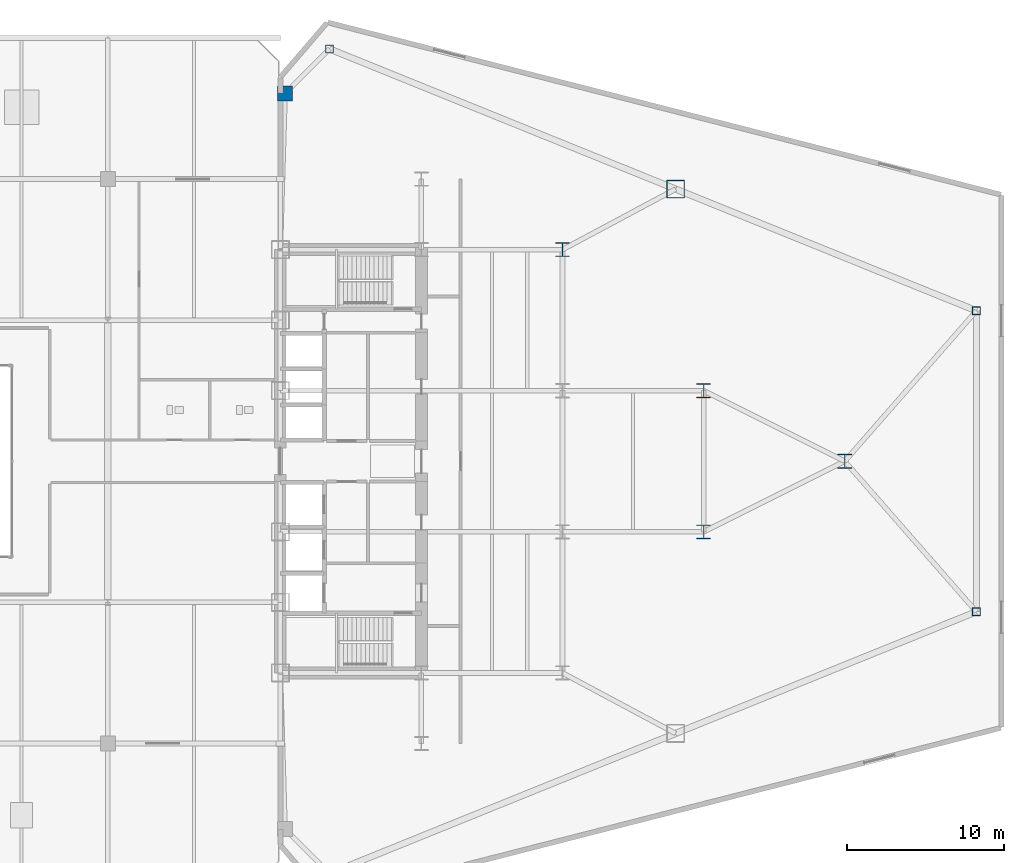
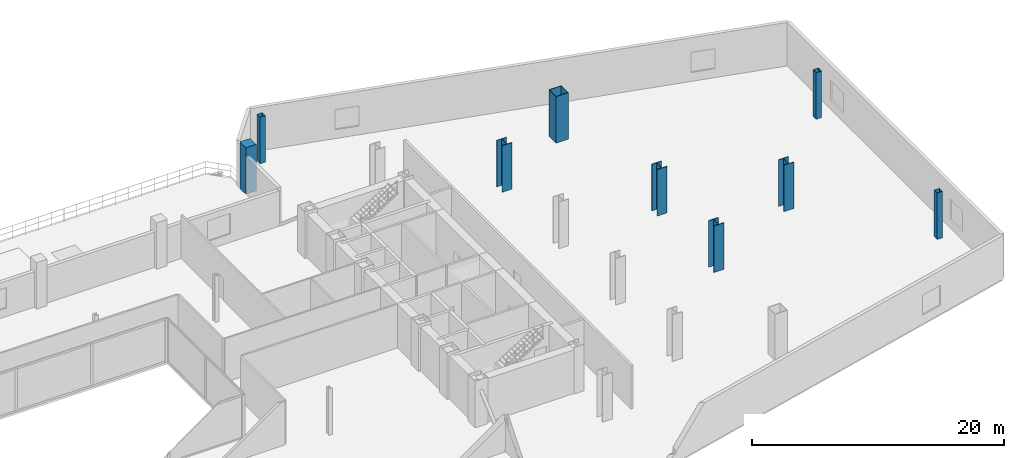
# One storey, part 8 of 27: 9 columns.
"""IFC4 building model written with IfcOpenShell, lengths in metres."""

from ifc_helpers import new_model, si_unit, direction, frame, origin, origin_2d, place, context, subcontext, project, spatial, rectangle, hollow_rectangle, i_section, extrude, source, transform, mapped, material, material_profile, profile_set, type_object, type_shapes, element, save


model = new_model("IFC4")

# Units and contexts
model_context = context("Model", 3, precision=1e-05, world=origin(), true_north=direction((0.0, 1.0)))
body_context = subcontext(model_context, "Body", "Model", "MODEL_VIEW")
ifc_project = project(units=[si_unit("LENGTHUNIT", "METRE"), si_unit("AREAUNIT", "SQUARE_METRE"), si_unit("VOLUMEUNIT", "CUBIC_METRE"), si_unit("PLANEANGLEUNIT", "RADIAN"), si_unit("MASSUNIT", "GRAM", prefix="KILO")], contexts=[model_context])

# Site, building, storey
site_placement = place(None, origin())
site = spatial("IfcSite", under=ifc_project, at=site_placement, CompositionType="ELEMENT")
building_placement = place(site_placement, origin())
building = spatial("IfcBuilding", under=site, at=building_placement, Name="Seokmaru Belvedere", CompositionType="ELEMENT")
storey_placement = place(building_placement, frame((0.0, 0.0, 9.89990234375)))
storey = spatial("IfcBuildingStorey", under=building, at=storey_placement, Name="L02", CompositionType="ELEMENT", Elevation=9.89990234375)

# Columns
ifc_material_1 = material(Name="Steel HSA650 (650 MPa)", Category="steel")
ifc_material_profile_1 = material_profile(ifc_material_1, hollow_rectangle(XDim=1.14990234375, YDim=1.14990234375, WallThickness=0.048095703125, at=origin_2d()), Name="BOX-1150x1150x48")
ifc_profile_set_1 = profile_set([ifc_material_profile_1], Name="Steel HSA650 (650 MPa)")
column_type_1 = type_object("IfcColumnType", Name="Portal Spine Column BOX-1150", PredefinedType="COLUMN", material=ifc_profile_set_1)
shared_shape_1 = source(origin(), body_context, "Body", "SweptSolid", [
    extrude(hollow_rectangle(XDim=1.14990234375, YDim=1.14990234375, WallThickness=0.048095703125, at=origin_2d()), origin(), (0.0, 0.0, 1.0), 4.5),
])
type_shapes(column_type_1, [shared_shape_1])
column_1_placement = place(storey_placement, frame((52.715576171875, 17.360595703125, 0.0), z_axis=(0.0, 0.0, 1.0), x_axis=(1.0, 0.0, 0.0)))
element("IfcColumn", 1, at=column_1_placement, inside=storey, type_object=column_type_1, Name="L02 Column EFLK_N2", PredefinedType="COLUMN", context=body_context, shape_type="MappedRepresentation", body=[
    mapped(shared_shape_1, transform((0.0, 0.0, 0.0), scale=1.0)),
])
ifc_material_profile_2 = material_profile(ifc_material_1, i_section(OverallWidth=0.89990234375, OverallDepth=0.89990234375, WebThickness=0.035888671875, FlangeThickness=0.054931640625, at=origin_2d()), Name="H-900x900x36x55")
ifc_profile_set_2 = profile_set([ifc_material_profile_2], Name="Steel HSA650 (650 MPa)")
column_type_2 = type_object("IfcColumnType", Name="Lower Interior Column H-900", PredefinedType="COLUMN", material=ifc_profile_set_2)
shared_shape_2 = source(origin(), body_context, "Body", "SweptSolid", [
    extrude(i_section(OverallWidth=0.89990234375, OverallDepth=0.89990234375, WebThickness=0.035888671875, FlangeThickness=0.054931640625, at=origin_2d()), origin(), (0.0, 0.0, 1.0), 4.5),
])
type_shapes(column_type_2, [shared_shape_2])
for number, where, z_axis, x_axis, name in (
    (2, (45.5, 13.5, 0.0), (0.0, 0.0, 1.0), (1.0, 0.0, 0.0), "L02 Column EG5_4"),
    (3, (54.5, -4.5, 0.0), (0.0, 0.0, 1.0), (1.0, 0.0, 0.0), "L02 Column EG4P_1"),
    (4, (54.5, 4.5, 0.0), (0.0, 0.0, 1.0), (1.0, 0.0, 0.0), "L02 Column EG4P_2"),
    (5, (63.5, 0.0, 0.0), (0.0, 0.0, 1.0), (1.0, 0.0, 0.0), "L02 Column EG3P_1"),
):
    element("IfcColumn", number, at=place(storey_placement, frame(where, z_axis=z_axis, x_axis=x_axis)), inside=storey, type_object=column_type_2, Name=name, PredefinedType="COLUMN", context=body_context, shape_type="MappedRepresentation", body=[
        mapped(shared_shape_2, transform((0.0, 0.0, 0.0), scale=1.0)),
    ])
ifc_material_2 = material(Name="Steel SM355 (355 MPa)", Category="steel")
ifc_material_profile_3 = material_profile(ifc_material_2, hollow_rectangle(XDim=0.5, YDim=0.5, WallThickness=0.02001953125, at=origin_2d()), Name="HSS-500x500x20")
ifc_profile_set_3 = profile_set([ifc_material_profile_3], Name="Steel SM355 (355 MPa)")
column_type_3 = type_object("IfcColumnType", Name="Perimeter Facet Column HSS-500", PredefinedType="COLUMN", material=ifc_profile_set_3)
shared_shape_3 = source(origin(), body_context, "Body", "SweptSolid", [
    extrude(hollow_rectangle(XDim=0.5, YDim=0.5, WallThickness=0.02001953125, at=origin_2d()), origin(), (0.0, 0.0, 1.0), 4.5),
])
type_shapes(column_type_3, [shared_shape_3])
for number, where, z_axis, x_axis, name in (
    (6, (71.89990234375, -9.595703125, 0.0), (0.0, 0.0, 1.0), (1.0, 0.0, 0.0), "L02 Column EF2"),
    (7, (71.89990234375, 9.595703125, 0.0), (0.0, 0.0, 1.0), (1.0, 0.0, 0.0), "L02 Column EF3"),
    (8, (30.643310546875, 26.294677734375, 0.0), (0.0, 0.0, 1.0), (1.0, 0.0, 0.0), "L02 Column EF4"),
):
    element("IfcColumn", number, at=place(storey_placement, frame(where, z_axis=z_axis, x_axis=x_axis)), inside=storey, type_object=column_type_3, Name=name, PredefinedType="COLUMN", context=body_context, shape_type="MappedRepresentation", body=[
        mapped(shared_shape_3, transform((0.0, 0.0, 0.0), scale=1.0)),
    ])
ifc_material_3 = material(Name="Concrete C50 (50 MPa)", Category="concrete")
ifc_material_profile_4 = material_profile(ifc_material_3, rectangle(XDim=0.9599609375, YDim=0.9599609375, at=origin_2d()), Name="RC-960x960")
ifc_profile_set_4 = profile_set([ifc_material_profile_4], Name="Concrete C50 (50 MPa)")
column_type_4 = type_object("IfcColumnType", Name="Upper Podium Terrace Column RC-960", PredefinedType="COLUMN", material=ifc_profile_set_4)
shared_shape_4 = source(origin(), body_context, "Body", "SweptSolid", [
    extrude(rectangle(XDim=0.9599609375, YDim=0.9599609375, at=origin_2d()), origin(), (0.0, 0.0, 1.0), 4.5),
])
type_shapes(column_type_4, [shared_shape_4])
column_2_placement = place(storey_placement, frame((27.800048828125, 23.451416015625, 0.0), z_axis=(0.0, 0.0, 1.0), x_axis=(1.0, 0.0, 0.0)))
element("IfcColumn", 9, at=column_2_placement, inside=storey, type_object=column_type_4, Name="L02 Column EPM_N", PredefinedType="COLUMN", context=body_context, shape_type="MappedRepresentation", body=[
    mapped(shared_shape_4, transform((0.0, 0.0, 0.0), scale=1.0)),
])

save(model, "model.ifc")
